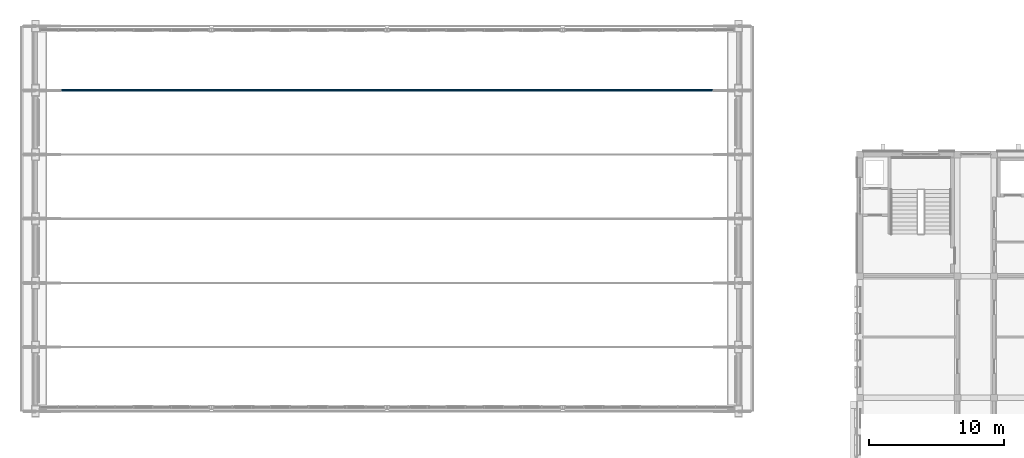
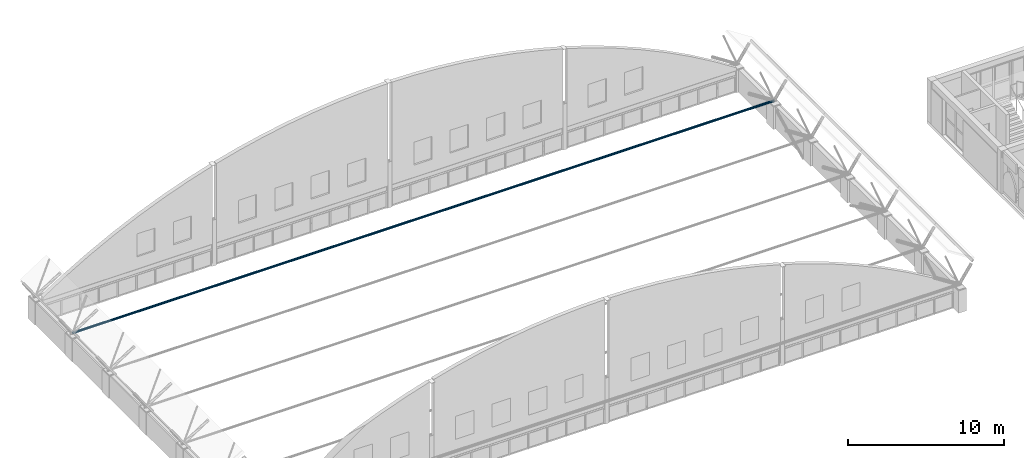
# One storey, part 17 of 65: 1 member.
"""IFC4 building model written with IfcOpenShell, lengths in metres."""

from ifc_helpers import new_model, si_unit, direction, frame, origin, origin_2d, place, context, subcontext, project, spatial, hollow_circle, extrude, material, material_profile, profile_set, type_object, element, save


model = new_model("IFC4")

# Units and contexts
model_context = context("Model", 3, precision=1e-05, world=origin(), true_north=direction((0.0, 1.0)))
body_context = subcontext(model_context, "Body", "Model", "MODEL_VIEW")
ifc_project = project(units=[si_unit("LENGTHUNIT", "METRE"), si_unit("AREAUNIT", "SQUARE_METRE"), si_unit("VOLUMEUNIT", "CUBIC_METRE"), si_unit("PLANEANGLEUNIT", "RADIAN"), si_unit("MASSUNIT", "GRAM", prefix="KILO")], contexts=[model_context])

# Site, building, storey
site_placement = place(None, origin())
site = spatial("IfcSite", under=ifc_project, at=site_placement, CompositionType="ELEMENT")
building_placement = place(site_placement, origin())
building = spatial("IfcBuilding", under=site, at=building_placement, Name="Elbe Cascade School", CompositionType="ELEMENT")
storey_placement = place(building_placement, frame((0.0, 0.0, 11.699951171875)))
storey = spatial("IfcBuildingStorey", under=building, at=storey_placement, Name="L03", CompositionType="ELEMENT", Elevation=11.699951171875)

# Member
ifc_material = material(Name="Steel S355J2H", Category="steel")
ifc_material_profile = material_profile(ifc_material, hollow_circle(Radius=0.084228515625, WallThickness=0.010009765625, at=origin_2d()), Name="CHS 168.3x10")
ifc_profile_set = profile_set([ifc_material_profile], Name="Steel S355J2H")
member_type = type_object("IfcMemberType", Name="Hall rib tie CHS 168.3x10", PredefinedType="MEMBER", material=ifc_profile_set)
member_placement = place(storey_placement, frame((8.0, 64.75, 1.89208984375), z_axis=(1.0, 0.0, 0.0), x_axis=(0.0, 1.0, 0.0)))
element("IfcMember", 1, at=member_placement, inside=storey, type_object=member_type, Name="Hall rib tie CHS 168.3x10 M6", PredefinedType="MEMBER", context=body_context, shape_type="SweptSolid", body=[
    extrude(hollow_circle(Radius=0.084228515625, WallThickness=0.010009765625, at=origin_2d()), origin(), (0.0, 0.0, 1.0), 52.0),
])

save(model, "model.ifc")
